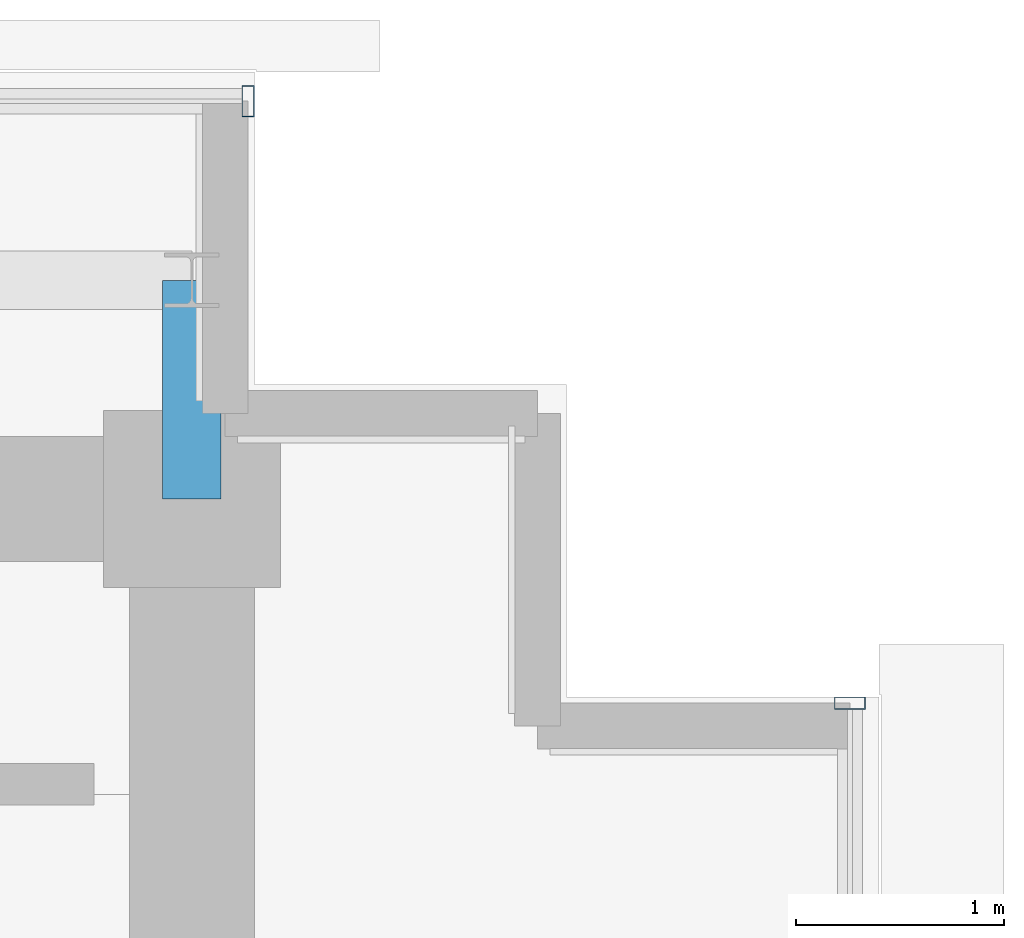
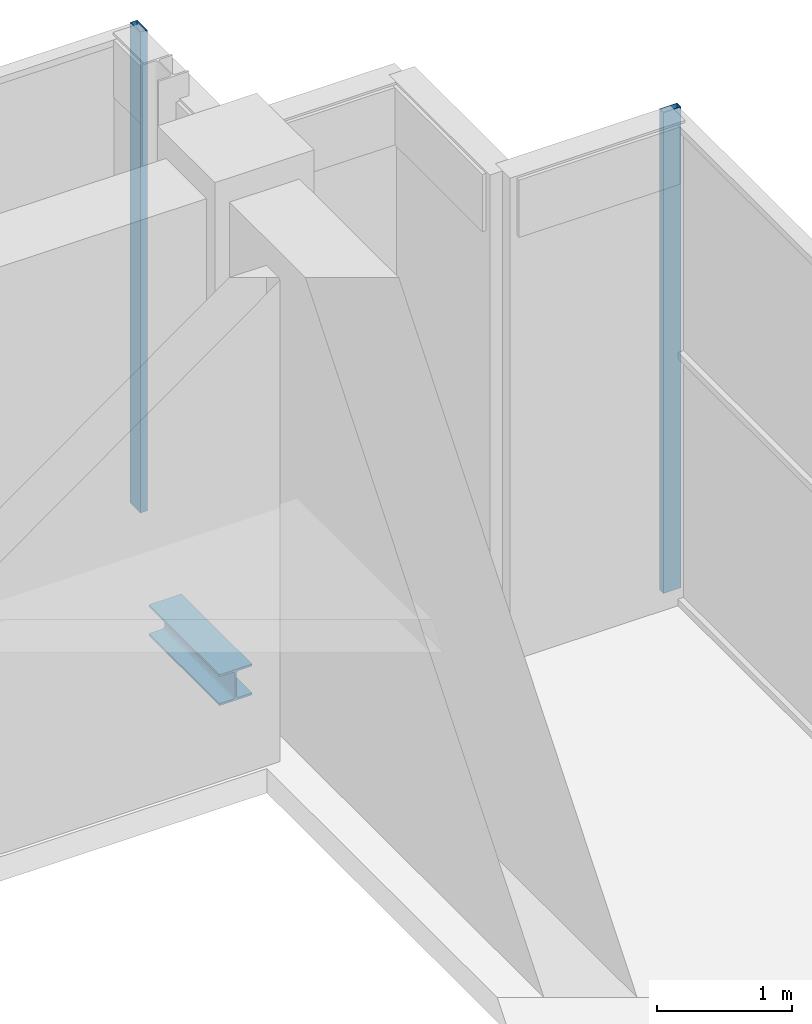
# One storey, part 22 of 27: 2 members, 1 beam, 2 elements without a shape of their own.
"""IFC4 building model written with IfcOpenShell, lengths in metres."""

from ifc_helpers import new_model, si_unit, direction, frame, origin, origin_2d, place, context, subcontext, project, spatial, hollow_rectangle, i_section, extrude, source, transform, mapped, material, layer, layer_set, material_profile, profile_set, type_object, element, aggregate, save


model = new_model("IFC4")

# Units and contexts
model_context = context("Model", 3, precision=1e-05, world=origin(), true_north=direction((0.0, 1.0)))
body_context = subcontext(model_context, "Body", "Model", "MODEL_VIEW")
ifc_project = project(units=[si_unit("LENGTHUNIT", "METRE"), si_unit("AREAUNIT", "SQUARE_METRE"), si_unit("VOLUMEUNIT", "CUBIC_METRE"), si_unit("PLANEANGLEUNIT", "RADIAN"), si_unit("MASSUNIT", "GRAM", prefix="KILO")], contexts=[model_context])

# Site, building, storey
site_placement = place(None, origin())
site = spatial("IfcSite", under=ifc_project, at=site_placement, CompositionType="ELEMENT")
building_placement = place(site_placement, origin())
building = spatial("IfcBuilding", under=site, at=building_placement, Name="Zarnakvel Exchange Tower", CompositionType="ELEMENT")
storey_placement = place(building_placement, frame((0.0, 0.0, 294.60009765625)))
storey = spatial("IfcBuildingStorey", under=building, at=storey_placement, Name="Crown L82", CompositionType="ELEMENT", Elevation=294.60009765625)

# Beam
ifc_material_1 = material(Name="Steel S355", Category="steel")
ifc_material_profile_1 = material_profile(ifc_material_1, i_section(OverallWidth=0.280029296875, OverallDepth=0.280029296875, WebThickness=0.010498046875, FlangeThickness=0.01806640625, FilletRadius=0.02392578125, at=origin_2d()))
ifc_profile_set_1 = profile_set([ifc_material_profile_1], Name="Steel S355")
beam_type = type_object("IfcBeamType", Name="SP-04", PredefinedType="SPANDREL", material=ifc_profile_set_1)
beam_placement = place(storey_placement, frame((14.39990234375, 13.5, -0.360107421875), z_axis=(0.0, 1.0, 0.0), x_axis=(-1.0, 0.0, 0.0)))
element("IfcBeam", 1, at=beam_placement, inside=storey, type_object=beam_type, Name="Crown L82 Tower N-S Frame Beam", PredefinedType="SPANDREL", context=body_context, shape_type="SweptSolid", body=[
    extrude(i_section(OverallWidth=0.280029296875, OverallDepth=0.280029296875, WebThickness=0.010498046875, FlangeThickness=0.01806640625, FilletRadius=0.02392578125, at=origin_2d()), origin(), (0.0, 0.0, 1.0), 1.050048828125),
])

# Curtain wall, member
ifc_material_2 = material(Name="Architectural Bronze Anodised Aluminium", Category="aluminium")
ifc_layer = layer(ifc_material_2, 0.14990234375)
ifc_layer_set = layer_set([ifc_layer], Name="Architectural Bronze Anodised Aluminium")
curtain_wall_type = type_object("IfcCurtainWallType", Name="CW-07", PredefinedType="NOTDEFINED", material=ifc_layer_set)
curtain_wall_1_placement = place(storey_placement, origin())
curtain_wall_1 = element("IfcCurtainWall", 2, at=curtain_wall_1_placement, inside=storey, type_object=curtain_wall_type, Name="Crown L82 Curtain Wall CW-Crown L82-N (CW-07)", PredefinedType="NOTDEFINED")
ifc_material_profile_2 = material_profile(ifc_material_2, hollow_rectangle(XDim=0.14990234375, YDim=0.06005859375, WallThickness=0.00390625, at=origin_2d()))
ifc_profile_set_2 = profile_set([ifc_material_profile_2], Name="Architectural Bronze Anodised Aluminium")
member_type = type_object("IfcMemberType", Name="CWM-07", PredefinedType="MULLION", material=ifc_profile_set_2)
shared_shape = source(origin(), body_context, "Body", "SweptSolid", [
    extrude(hollow_rectangle(XDim=0.14990234375, YDim=0.06005859375, WallThickness=0.00390625, at=origin_2d()), origin(), (0.0, 0.0, 1.0), 4.35986328125),
])
member_1_placement = place(storey_placement, frame((14.669921875, 15.409912109375, 0.0), z_axis=(0.0, 0.0, 1.0), x_axis=(0.0, 1.0, 0.0)))
member_1 = element("IfcMember", 3, at=member_1_placement, type_object=member_type, Name="CW-07 mullion 7", PredefinedType="MULLION", context=body_context, shape_type="MappedRepresentation", body=[
    mapped(shared_shape, transform((0.0, 0.0, 0.0), x_axis=(1.0, 0.0, 0.0), y_axis=(0.0, 1.0, 0.0), z_axis=(0.0, 0.0, 1.0), scale=1.0)),
])
aggregate(curtain_wall_1, [member_1])

curtain_wall_2_placement = place(storey_placement, origin())
curtain_wall_2 = element("IfcCurtainWall", 4, at=curtain_wall_2_placement, inside=storey, type_object=curtain_wall_type, Name="Crown L82 Curtain Wall CW-Crown L82-E (CW-07)", PredefinedType="NOTDEFINED")
member_2_placement = place(storey_placement, frame((17.56005859375, 12.52001953125, 0.0), z_axis=(0.0, 0.0, 1.0), x_axis=(-1.0, 0.0, 0.0)))
member_2 = element("IfcMember", 5, at=member_2_placement, type_object=member_type, Name="CW-07 mullion 5", PredefinedType="MULLION", context=body_context, shape_type="MappedRepresentation", body=[
    mapped(shared_shape, transform((0.0, 0.0, 0.0), x_axis=(1.0, 0.0, 0.0), y_axis=(0.0, 1.0, 0.0), z_axis=(0.0, 0.0, 1.0), scale=1.0)),
])
aggregate(curtain_wall_2, [member_2])

save(model, "model.ifc")
